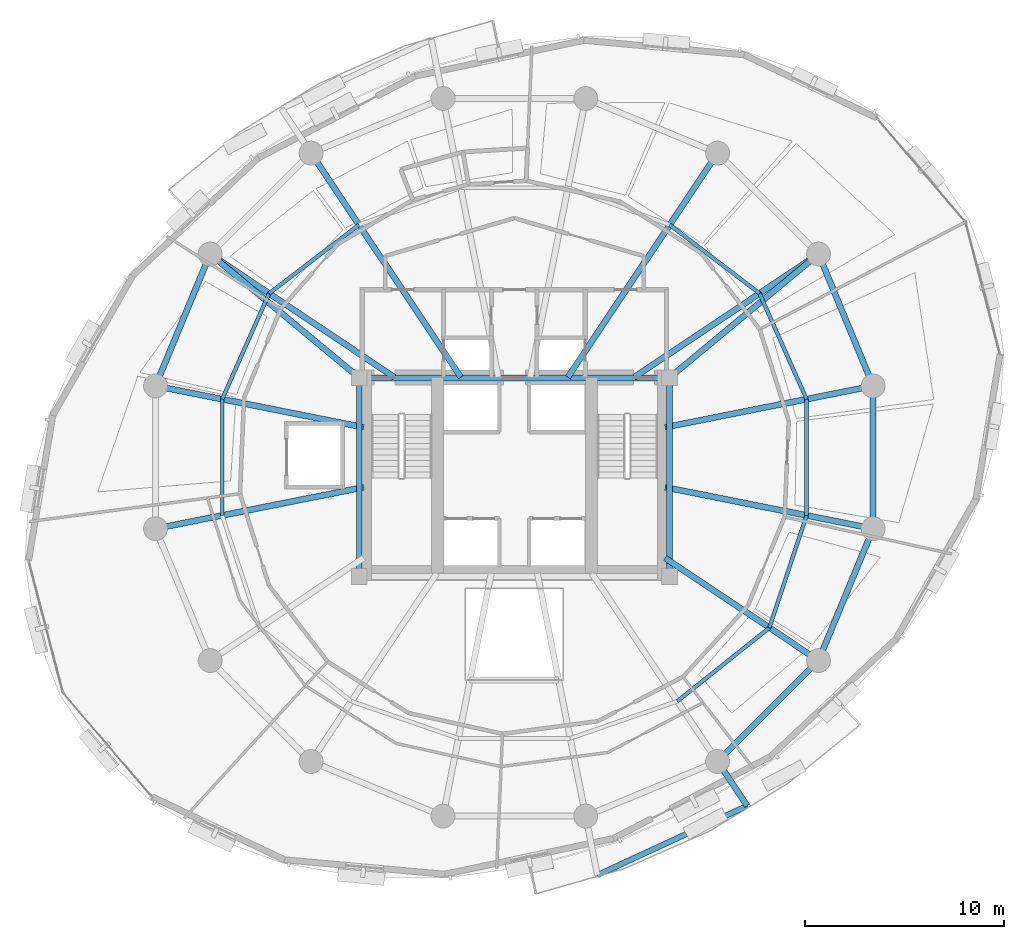
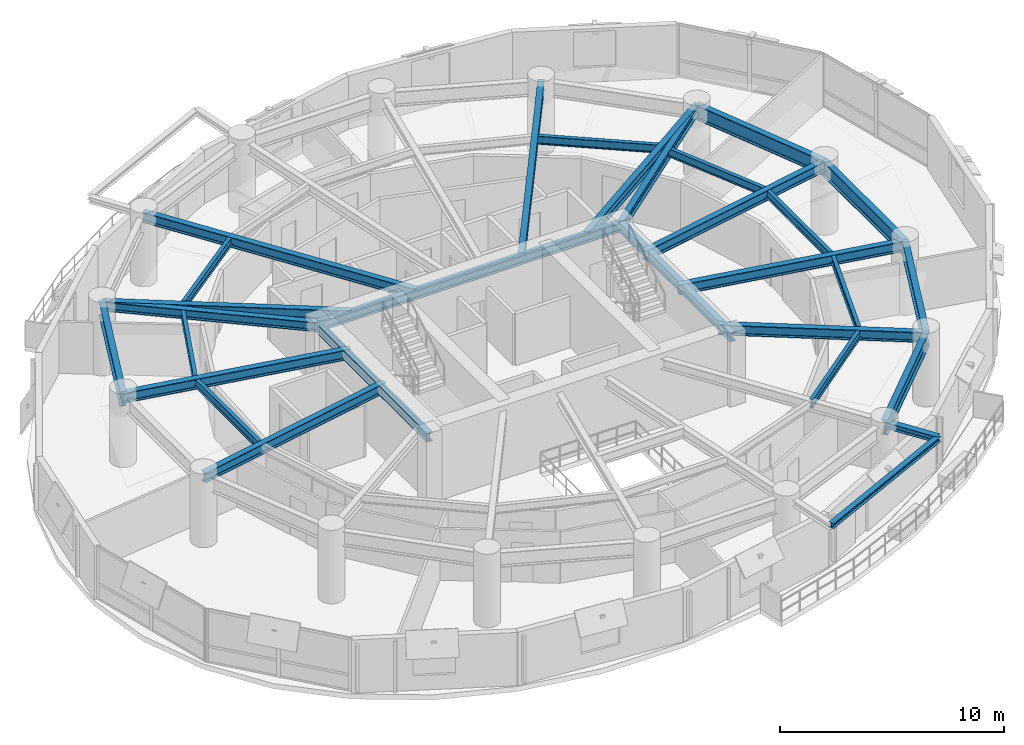
# One storey, part 5 of 14: 29 beams.
"""IFC4 building model written with IfcOpenShell, lengths in metres."""

from ifc_helpers import new_model, si_unit, direction, frame, origin, origin_2d, place, context, subcontext, project, spatial, i_section, extrude, material, material_profile, profile_set, type_object, element, save


model = new_model("IFC4")

# Units and contexts
model_context = context("Model", 3, precision=1e-05, world=origin(), true_north=direction((0.0, 1.0)))
body_context = subcontext(model_context, "Body", "Model", "MODEL_VIEW")
ifc_project = project(units=[si_unit("LENGTHUNIT", "METRE"), si_unit("AREAUNIT", "SQUARE_METRE"), si_unit("VOLUMEUNIT", "CUBIC_METRE"), si_unit("PLANEANGLEUNIT", "RADIAN"), si_unit("MASSUNIT", "GRAM", prefix="KILO"), si_unit("THERMODYNAMICTEMPERATUREUNIT", "KELVIN"), si_unit("POWERUNIT", "WATT")], contexts=[model_context])

# Site, building, storey
site_placement = place(None, origin())
site = spatial("IfcSite", under=ifc_project, at=site_placement, CompositionType="ELEMENT")
building_placement = place(site_placement, origin())
building = spatial("IfcBuilding", under=site, at=building_placement, Name="Ocrelia Relay Tower", CompositionType="ELEMENT")
storey_placement = place(building_placement, frame((0.0, 0.0, 149.800048828125)))
storey = spatial("IfcBuildingStorey", under=building, at=storey_placement, Name="L35", CompositionType="ELEMENT", Elevation=149.800048828125)

# Beams
ifc_material = material(Name="Steel S355", Category="steel")
ifc_material_profile_1 = material_profile(ifc_material, i_section(OverallWidth=0.280029296875, OverallDepth=0.27001953125, WebThickness=0.008056640625, FlangeThickness=0.012939453125, FilletRadius=0.02392578125, at=origin_2d()), Name="HEA 280")
ifc_profile_set_1 = profile_set([ifc_material_profile_1], Name="Steel S355")
beam_type_1 = type_object("IfcBeamType", Name="BM-HEA280", PredefinedType="BEAM", material=ifc_profile_set_1)
beam_1_placement = place(storey_placement, frame((38.179931640625, 4.98583984375, 3.5849609375), z_axis=(0.907554319669, 0.419934705461, 0.0), x_axis=(-0.419934705461, 0.907554319669, 0.0)))
element("IfcBeam", 1, at=beam_1_placement, inside=storey, type_object=beam_type_1, Name="L36 Balcony Edge Trimmer Beam B2", PredefinedType="BEAM", context=body_context, shape_type="SweptSolid", body=[
    extrude(i_section(OverallWidth=0.280029296875, OverallDepth=0.27001953125, WebThickness=0.008056640625, FlangeThickness=0.012939453125, FilletRadius=0.02392578125, at=origin_2d()), origin(), (0.0, 0.0, 1.0), 8.2998046875),
])
ifc_material_profile_2 = material_profile(ifc_material, i_section(OverallWidth=0.300048828125, OverallDepth=0.330078125, WebThickness=0.009521484375, FlangeThickness=0.0166015625, FilletRadius=0.027099609375, at=origin_2d()), Name="HEA 340")
ifc_profile_set_2 = profile_set([ifc_material_profile_2], Name="Steel S355")
beam_type_2 = type_object("IfcBeamType", Name="BM-HEA340", PredefinedType="BEAM", material=ifc_profile_set_2)
beam_2_placement = place(storey_placement, frame((44.222412109375, 10.700927734375, 3.554931640625), z_axis=(0.555603243649, -0.831447554357, 0.0), x_axis=(0.831447554357, 0.555603243649, 0.0)))
element("IfcBeam", 2, at=beam_2_placement, inside=storey, type_object=beam_type_2, Name="L36 Balcony Cantilever Beam B2-2", PredefinedType="BEAM", context=body_context, shape_type="SweptSolid", body=[
    extrude(i_section(OverallWidth=0.300048828125, OverallDepth=0.330078125, WebThickness=0.009521484375, FlangeThickness=0.0166015625, FilletRadius=0.027099609375, at=origin_2d()), origin(), (0.0, 0.0, 1.0), 2.681640625),
])
ifc_material_profile_3 = material_profile(ifc_material, i_section(OverallWidth=0.300048828125, OverallDepth=0.5, WebThickness=0.014404296875, FlangeThickness=0.028076171875, FilletRadius=0.027099609375, at=origin_2d()), Name="HEB 500")
ifc_profile_set_3 = profile_set([ifc_material_profile_3], Name="Steel S355")
beam_type_3 = type_object("IfcBeamType", Name="BM-HEB500", PredefinedType="BEAM", material=ifc_profile_set_3)
beam_3_placement = place(storey_placement, frame((26.199951171875, 30.0, 3.469970703125), z_axis=(1.0, 0.0, 0.0), x_axis=(0.0, 1.0, 0.0)))
element("IfcBeam", 3, at=beam_3_placement, inside=storey, type_object=beam_type_3, Name="L35 Core Pilaster Tie Beam N", PredefinedType="BEAM", context=body_context, shape_type="SweptSolid", body=[
    extrude(i_section(OverallWidth=0.300048828125, OverallDepth=0.5, WebThickness=0.014404296875, FlangeThickness=0.028076171875, FilletRadius=0.027099609375, at=origin_2d()), origin(), (0.0, 0.0, 1.0), 15.60009765625),
])
for number, where, z_axis, x_axis, name in (
    (4, (26.199951171875, 20.0, 3.469970703125), (0.0, 1.0, 0.0), (-1.0, 0.0, 0.0), "L35 Core Pilaster Tie Beam W"),
    (5, (41.800048828125, 20.0, 3.469970703125), (0.0, 1.0, 0.0), (-1.0, 0.0, 0.0), "L35 Core Pilaster Tie Beam E"),
):
    element("IfcBeam", number, at=place(storey_placement, frame(where, z_axis=z_axis, x_axis=x_axis)), inside=storey, type_object=beam_type_3, Name=name, PredefinedType="BEAM", context=body_context, shape_type="SweptSolid", body=[
        extrude(i_section(OverallWidth=0.300048828125, OverallDepth=0.5, WebThickness=0.014404296875, FlangeThickness=0.028076171875, FilletRadius=0.027099609375, at=origin_2d()), origin(), (0.0, 0.0, 1.0), 10.0),
    ])
for number, where, z_axis, x_axis, name in (
    (6, (49.299072265625, 36.222412109375, 3.469970703125), (-0.769570862751, -0.638561420072, 0.0), (0.638561420072, -0.769570862751, 0.0), "L35 Core Pilaster Frame Tie Beam PT02"),
    (7, (18.700927734375, 36.222412109375, 3.469970703125), (0.769570862751, -0.638561420072, 0.0), (0.638561420072, 0.769570862751, 0.0), "L35 Core Pilaster Frame Tie Beam PT07"),
):
    element("IfcBeam", number, at=place(storey_placement, frame(where, z_axis=z_axis, x_axis=x_axis)), inside=storey, type_object=beam_type_3, Name=name, PredefinedType="BEAM", context=body_context, shape_type="SweptSolid", body=[
        extrude(i_section(OverallWidth=0.300048828125, OverallDepth=0.5, WebThickness=0.014404296875, FlangeThickness=0.028076171875, FilletRadius=0.027099609375, at=origin_2d()), origin(), (0.0, 0.0, 1.0), 9.744384765625),
    ])
ifc_material_profile_4 = material_profile(ifc_material, i_section(OverallWidth=0.300048828125, OverallDepth=0.550048828125, WebThickness=0.014892578125, FlangeThickness=0.029052734375, FilletRadius=0.027099609375, at=origin_2d()), Name="HEB 550")
ifc_profile_set_4 = profile_set([ifc_material_profile_4], Name="Steel S355")
beam_type_4 = type_object("IfcBeamType", Name="BM-HEB550", PredefinedType="BEAM", material=ifc_profile_set_4)
beam_4_placement = place(storey_placement, frame((52.04638671875, 29.589599609375, 3.445068359375), z_axis=(-0.980786914024, -0.195082109071, 0.0), x_axis=(0.195082109071, -0.980786914024, 0.0)))
element("IfcBeam", 8, at=beam_4_placement, inside=storey, type_object=beam_type_4, Name="L35 Radial Floor Girder R01", PredefinedType="BEAM", context=body_context, shape_type="SweptSolid", body=[
    extrude(i_section(OverallWidth=0.300048828125, OverallDepth=0.550048828125, WebThickness=0.014892578125, FlangeThickness=0.029052734375, FilletRadius=0.027099609375, at=origin_2d()), origin(), (0.0, 0.0, 1.0), 10.67138671875),
])
beam_5_placement = place(storey_placement, frame((49.299072265625, 36.222412109375, 3.445068359375), z_axis=(-0.83147699108, -0.555559189741, 0.0), x_axis=(0.555559189741, -0.83147699108, 0.0)))
element("IfcBeam", 9, at=beam_5_placement, inside=storey, type_object=beam_type_4, Name="L35 Radial Floor Girder R02", PredefinedType="BEAM", context=body_context, shape_type="SweptSolid", body=[
    extrude(i_section(OverallWidth=0.300048828125, OverallDepth=0.550048828125, WebThickness=0.014892578125, FlangeThickness=0.029052734375, FilletRadius=0.027099609375, at=origin_2d()), origin(), (0.0, 0.0, 1.0), 11.146240234375),
])
for number, where, z_axis, x_axis, name in (
    (10, (44.222412109375, 41.299072265625, 3.445068359375), (-0.555560399988, -0.83147618244, 0.0), (0.83147618244, -0.555560399988, 0.0), "L35 Radial Floor Girder R03"),
    (11, (23.777587890625, 41.299072265625, 3.445068359375), (0.555560399988, -0.83147618244, 0.0), (0.83147618244, 0.555560399988, 0.0), "L35 Radial Floor Girder R06"),
):
    element("IfcBeam", number, at=place(storey_placement, frame(where, z_axis=z_axis, x_axis=x_axis)), inside=storey, type_object=beam_type_4, Name=name, PredefinedType="BEAM", context=body_context, shape_type="SweptSolid", body=[
        extrude(i_section(OverallWidth=0.300048828125, OverallDepth=0.550048828125, WebThickness=0.014892578125, FlangeThickness=0.029052734375, FilletRadius=0.027099609375, at=origin_2d()), origin(), (0.0, 0.0, 1.0), 13.552978515625),
    ])
beam_6_placement = place(storey_placement, frame((18.700927734375, 36.222412109375, 3.445068359375), z_axis=(0.83147699108, -0.555559189741, 0.0), x_axis=(0.555559189741, 0.83147699108, 0.0)))
element("IfcBeam", 12, at=beam_6_placement, inside=storey, type_object=beam_type_4, Name="L35 Radial Floor Girder R07", PredefinedType="BEAM", context=body_context, shape_type="SweptSolid", body=[
    extrude(i_section(OverallWidth=0.300048828125, OverallDepth=0.550048828125, WebThickness=0.014892578125, FlangeThickness=0.029052734375, FilletRadius=0.027099609375, at=origin_2d()), origin(), (0.0, 0.0, 1.0), 11.146240234375),
])
for number, where, z_axis, x_axis, name in (
    (13, (15.95361328125, 29.589599609375, 3.445068359375), (0.980787592082, -0.195078700063, 0.0), (0.195078700063, 0.980787592082, 0.0), "L35 Radial Floor Girder R08"),
    (14, (15.95361328125, 22.410400390625, 3.445068359375), (0.980787592082, 0.195078700063, 0.0), (-0.195078700063, 0.980787592082, 0.0), "L35 Radial Floor Girder R09"),
):
    element("IfcBeam", number, at=place(storey_placement, frame(where, z_axis=z_axis, x_axis=x_axis)), inside=storey, type_object=beam_type_4, Name=name, PredefinedType="BEAM", context=body_context, shape_type="SweptSolid", body=[
        extrude(i_section(OverallWidth=0.300048828125, OverallDepth=0.550048828125, WebThickness=0.014892578125, FlangeThickness=0.029052734375, FilletRadius=0.027099609375, at=origin_2d()), origin(), (0.0, 0.0, 1.0), 10.681640625),
    ])
beam_7_placement = place(storey_placement, frame((49.299072265625, 15.777587890625, 3.445068359375), z_axis=(-0.8314672312, 0.555573796575, 0.0), x_axis=(-0.555573796575, -0.8314672312, 0.0)))
element("IfcBeam", 15, at=beam_7_placement, inside=storey, type_object=beam_type_4, Name="L35 Radial Floor Girder R15", PredefinedType="BEAM", context=body_context, shape_type="SweptSolid", body=[
    extrude(i_section(OverallWidth=0.300048828125, OverallDepth=0.550048828125, WebThickness=0.014892578125, FlangeThickness=0.029052734375, FilletRadius=0.027099609375, at=origin_2d()), origin(), (0.0, 0.0, 1.0), 9.28369140625),
])
beam_8_placement = place(storey_placement, frame((52.04638671875, 22.410400390625, 3.445068359375), z_axis=(-0.980786914024, 0.195082109071, 0.0), x_axis=(-0.195082109071, -0.980786914024, 0.0)))
element("IfcBeam", 16, at=beam_8_placement, inside=storey, type_object=beam_type_4, Name="L35 Radial Floor Girder R16", PredefinedType="BEAM", context=body_context, shape_type="SweptSolid", body=[
    extrude(i_section(OverallWidth=0.300048828125, OverallDepth=0.550048828125, WebThickness=0.014892578125, FlangeThickness=0.029052734375, FilletRadius=0.027099609375, at=origin_2d()), origin(), (0.0, 0.0, 1.0), 10.67138671875),
])
ifc_material_profile_5 = material_profile(ifc_material, i_section(OverallWidth=0.300048828125, OverallDepth=0.800048828125, WebThickness=0.017578125, FlangeThickness=0.032958984375, FilletRadius=0.030029296875, at=origin_2d()), Name="HEB 800")
ifc_profile_set_5 = profile_set([ifc_material_profile_5], Name="Steel S355")
beam_type_5 = type_object("IfcBeamType", Name="BM-HEB800", PredefinedType="BEAM", material=ifc_profile_set_5)
for number, where, z_axis, x_axis, name in (
    (17, (52.04638671875, 29.589599609375, 3.320068359375), (-0.382673155247, 0.923883789366, 0.0), (-0.923883789366, -0.382673155247, 0.0), "L35 Perimeter Spandrel Beam S01"),
    (18, (18.700927734375, 36.222412109375, 3.320068359375), (-0.382673155247, -0.923883789366, 0.0), (0.923883789366, -0.382673155247, 0.0), "L35 Perimeter Spandrel Beam S07"),
):
    element("IfcBeam", number, at=place(storey_placement, frame(where, z_axis=z_axis, x_axis=x_axis)), inside=storey, type_object=beam_type_5, Name=name, PredefinedType="BEAM", context=body_context, shape_type="SweptSolid", body=[
        extrude(i_section(OverallWidth=0.300048828125, OverallDepth=0.800048828125, WebThickness=0.017578125, FlangeThickness=0.032958984375, FilletRadius=0.030029296875, at=origin_2d()), origin(), (0.0, 0.0, 1.0), 7.17919921875),
    ])
beam_9_placement = place(storey_placement, frame((44.222412109375, 10.700927734375, 3.320068359375), z_axis=(0.707106781187, 0.707106781187, 0.0), x_axis=(-0.707106781187, 0.707106781187, 0.0)))
element("IfcBeam", 19, at=beam_9_placement, inside=storey, type_object=beam_type_5, Name="L35 Perimeter Spandrel Beam S14", PredefinedType="BEAM", context=body_context, shape_type="SweptSolid", body=[
    extrude(i_section(OverallWidth=0.300048828125, OverallDepth=0.800048828125, WebThickness=0.017578125, FlangeThickness=0.032958984375, FilletRadius=0.030029296875, at=origin_2d()), origin(), (0.0, 0.0, 1.0), 7.179443359375),
])
for number, where, z_axis, x_axis, name in (
    (20, (49.299072265625, 15.777587890625, 3.320068359375), (0.382673155247, 0.923883789366, 0.0), (-0.923883789366, 0.382673155247, 0.0), "L35 Perimeter Spandrel Beam S15"),
    (21, (52.04638671875, 22.410400390625, 3.320068359375), (0.0, 1.0, 0.0), (-1.0, 0.0, 0.0), "L35 Perimeter Spandrel Beam S16"),
):
    element("IfcBeam", number, at=place(storey_placement, frame(where, z_axis=z_axis, x_axis=x_axis)), inside=storey, type_object=beam_type_5, Name=name, PredefinedType="BEAM", context=body_context, shape_type="SweptSolid", body=[
        extrude(i_section(OverallWidth=0.300048828125, OverallDepth=0.800048828125, WebThickness=0.017578125, FlangeThickness=0.032958984375, FilletRadius=0.030029296875, at=origin_2d()), origin(), (0.0, 0.0, 1.0), 7.17919921875),
    ])
ifc_material_profile_6 = material_profile(ifc_material, i_section(OverallWidth=0.18994140625, OverallDepth=0.449951171875, WebThickness=0.009521484375, FlangeThickness=0.0146484375, FilletRadius=0.02099609375, at=origin_2d()), Name="IPE 450")
ifc_profile_set_6 = profile_set([ifc_material_profile_6], Name="Steel S355")
beam_type_6 = type_object("IfcBeamType", Name="BM-IPE450", PredefinedType="JOIST", material=ifc_profile_set_6)
beam_10_placement = place(storey_placement, frame((48.697265625, 28.923583984375, 3.494873046875), z_axis=(-0.406243565397, 0.913764830563, 0.0), x_axis=(-0.913764830563, -0.406243565397, 0.0)))
element("IfcBeam", 22, at=beam_10_placement, inside=storey, type_object=beam_type_6, Name="L35 Secondary Floor Joist J01", PredefinedType="JOIST", context=body_context, shape_type="SweptSolid", body=[
    extrude(i_section(OverallWidth=0.18994140625, OverallDepth=0.449951171875, WebThickness=0.009521484375, FlangeThickness=0.0146484375, FilletRadius=0.02099609375, at=origin_2d()), origin(), (0.0, 0.0, 1.0), 5.819091796875),
])
for number, where, z_axis, x_axis, name in (
    (23, (46.333251953125, 34.240966796875, 3.494873046875), (-0.794762167004, 0.60692099807, 0.0), (-0.60692099807, -0.794762167004, 0.0), "L35 Secondary Floor Joist J02"),
    (24, (26.18701171875, 37.69287109375, 3.494873046875), (-0.794762167004, -0.60692099807, 0.0), (0.60692099807, -0.794762167004, 0.0), "L35 Secondary Floor Joist J06"),
):
    element("IfcBeam", number, at=place(storey_placement, frame(where, z_axis=z_axis, x_axis=x_axis)), inside=storey, type_object=beam_type_6, Name=name, PredefinedType="JOIST", context=body_context, shape_type="SweptSolid", body=[
        extrude(i_section(OverallWidth=0.18994140625, OverallDepth=0.449951171875, WebThickness=0.009521484375, FlangeThickness=0.0146484375, FilletRadius=0.02099609375, at=origin_2d()), origin(), (0.0, 0.0, 1.0), 5.6875),
    ])
beam_11_placement = place(storey_placement, frame((21.666748046875, 34.240966796875, 3.494873046875), z_axis=(-0.405741333342, -0.913987948727, 0.0), x_axis=(0.913987948727, -0.405741333342, 0.0)))
element("IfcBeam", 25, at=beam_11_placement, inside=storey, type_object=beam_type_6, Name="L35 Secondary Floor Joist J07", PredefinedType="JOIST", context=body_context, shape_type="SweptSolid", body=[
    extrude(i_section(OverallWidth=0.18994140625, OverallDepth=0.449951171875, WebThickness=0.009521484375, FlangeThickness=0.0146484375, FilletRadius=0.02099609375, at=origin_2d()), origin(), (0.0, 0.0, 1.0), 5.818603515625),
])
beam_12_placement = place(storey_placement, frame((19.305908203125, 28.9228515625, 3.494873046875), z_axis=(0.0, -1.0, 0.0), x_axis=(1.0, 0.0, 0.0)))
element("IfcBeam", 26, at=beam_12_placement, inside=storey, type_object=beam_type_6, Name="L35 Secondary Floor Joist J08", PredefinedType="JOIST", context=body_context, shape_type="SweptSolid", body=[
    extrude(i_section(OverallWidth=0.18994140625, OverallDepth=0.449951171875, WebThickness=0.009521484375, FlangeThickness=0.0146484375, FilletRadius=0.02099609375, at=origin_2d()), origin(), (0.0, 0.0, 1.0), 5.845703125),
])
beam_13_placement = place(storey_placement, frame((42.197998046875, 13.731201171875, 3.494873046875), z_axis=(0.781519577804, 0.623880717372, 0.0), x_axis=(-0.623880717372, 0.781519577804, 0.0)))
element("IfcBeam", 27, at=beam_13_placement, inside=storey, type_object=beam_type_6, Name="L35 Secondary Floor Joist J14", PredefinedType="JOIST", context=body_context, shape_type="SweptSolid", body=[
    extrude(i_section(OverallWidth=0.18994140625, OverallDepth=0.449951171875, WebThickness=0.009521484375, FlangeThickness=0.0146484375, FilletRadius=0.02099609375, at=origin_2d()), origin(), (0.0, 0.0, 1.0), 5.925537109375),
])
beam_14_placement = place(storey_placement, frame((46.828857421875, 17.427978515625, 3.494873046875), z_axis=(0.314047924314, 0.949407131443, 0.0), x_axis=(-0.949407131443, 0.314047924314, 0.0)))
element("IfcBeam", 28, at=beam_14_placement, inside=storey, type_object=beam_type_6, Name="L35 Secondary Floor Joist J15", PredefinedType="JOIST", context=body_context, shape_type="SweptSolid", body=[
    extrude(i_section(OverallWidth=0.18994140625, OverallDepth=0.449951171875, WebThickness=0.009521484375, FlangeThickness=0.0146484375, FilletRadius=0.02099609375, at=origin_2d()), origin(), (0.0, 0.0, 1.0), 5.949462890625),
])
beam_15_placement = place(storey_placement, frame((48.697265625, 23.076416015625, 3.494873046875), z_axis=(0.0, 1.0, 0.0), x_axis=(-1.0, 0.0, 0.0)))
element("IfcBeam", 29, at=beam_15_placement, inside=storey, type_object=beam_type_6, Name="L35 Secondary Floor Joist J16", PredefinedType="JOIST", context=body_context, shape_type="SweptSolid", body=[
    extrude(i_section(OverallWidth=0.18994140625, OverallDepth=0.449951171875, WebThickness=0.009521484375, FlangeThickness=0.0146484375, FilletRadius=0.02099609375, at=origin_2d()), origin(), (0.0, 0.0, 1.0), 5.84716796875),
])

save(model, "model.ifc")
